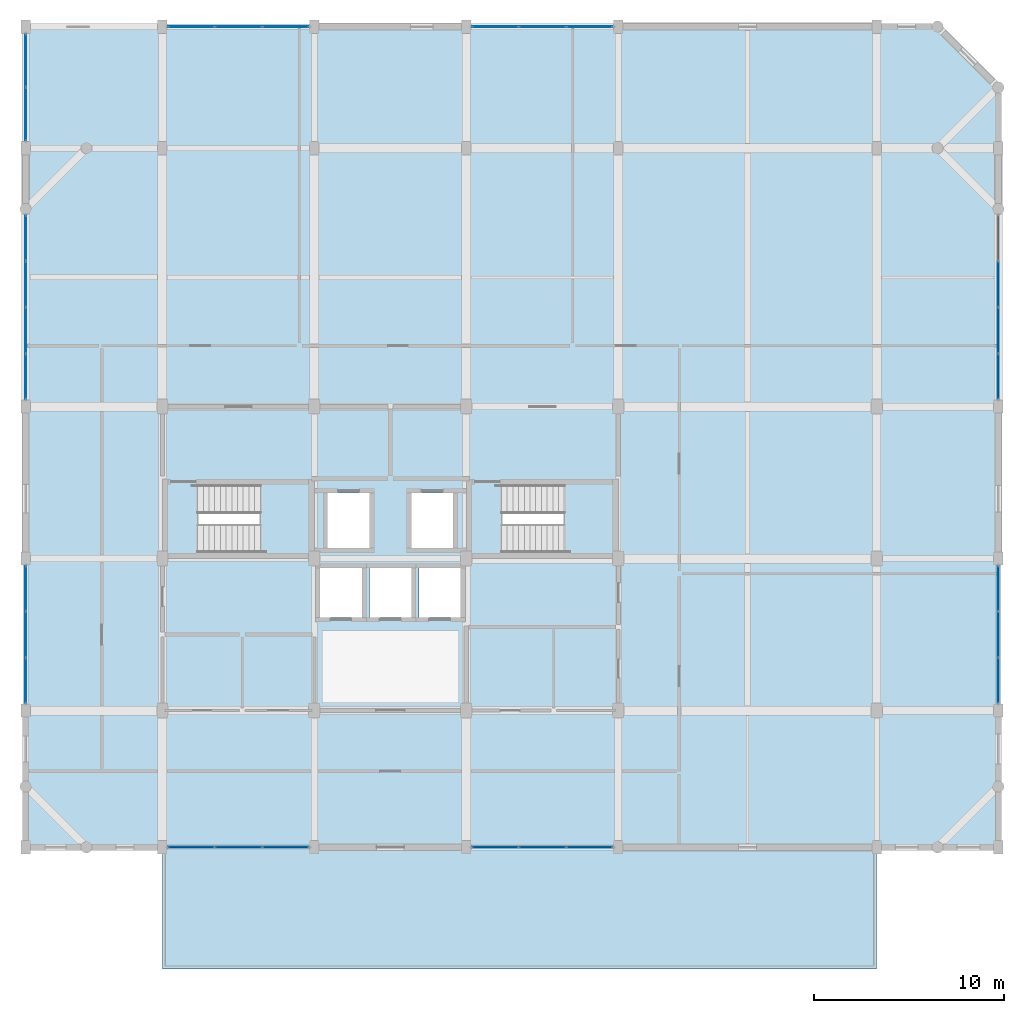
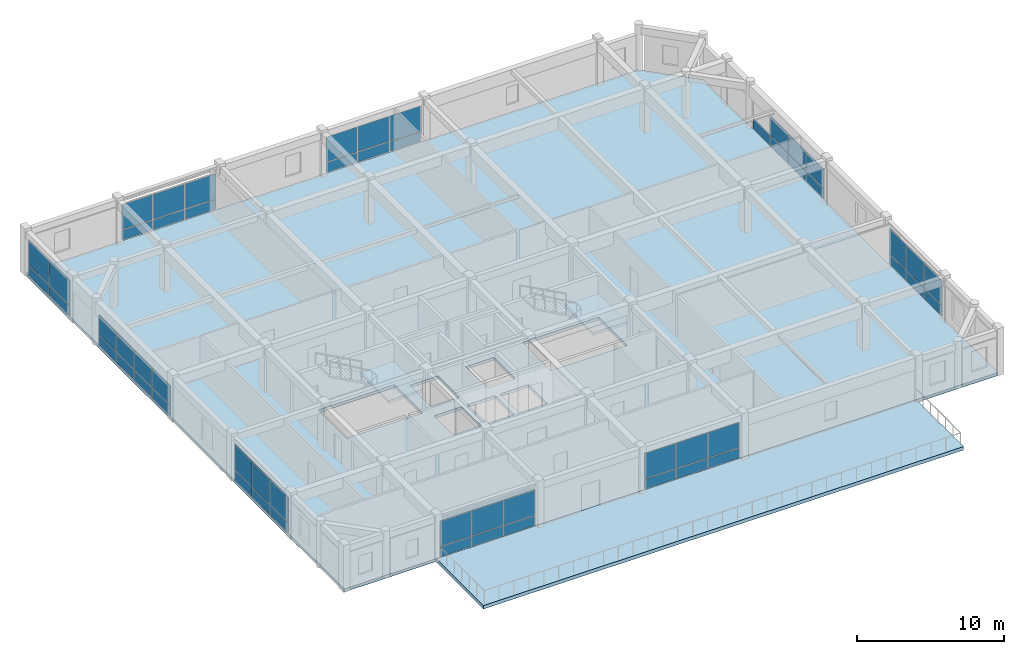
# One storey, part 8 of 13: 55 plates, 4 slabs, 11 elements without a shape of their own.
"""IFC4 building model written with IfcOpenShell, lengths in metres."""

from ifc_helpers import new_model, si_unit, direction, frame, origin, origin_2d, place, context, subcontext, project, spatial, polyline, rectangle, outline, extrude, material, layer, layer_set, type_object, element, aggregate, save


model = new_model("IFC4")

# Units and contexts
model_context = context("Model", 3, precision=1e-05, world=origin(), true_north=direction((0.0, 1.0)))
body_context = subcontext(model_context, "Body", "Model", "MODEL_VIEW")
ifc_project = project(units=[si_unit("LENGTHUNIT", "METRE"), si_unit("AREAUNIT", "SQUARE_METRE"), si_unit("VOLUMEUNIT", "CUBIC_METRE"), si_unit("PLANEANGLEUNIT", "RADIAN"), si_unit("MASSUNIT", "GRAM", prefix="KILO")], contexts=[model_context])

# Site, building, storey
site_placement = place(None, origin())
site = spatial("IfcSite", under=ifc_project, at=site_placement, CompositionType="ELEMENT")
building_placement = place(site_placement, origin())
building = spatial("IfcBuilding", under=site, at=building_placement, Name="Vellmiral Cinema and Media Centre", CompositionType="ELEMENT")
storey_placement = place(building_placement, frame((0.0, 0.0, 50.89990234375)))
storey = spatial("IfcBuildingStorey", under=building, at=storey_placement, Name="L12", CompositionType="ELEMENT", Elevation=50.89990234375)

# Curtain wall, plates
ifc_material_1 = material(Name="Thermally Broken Aluminium and Triple Glazing", Category="aluminium")
curtain_wall_type_1 = type_object("IfcCurtainWallType", Name="CW-TOWER-MID-W", PredefinedType="USERDEFINED", material=ifc_material_1)
curtain_wall_1_placement = place(storey_placement, origin())
curtain_wall_1 = element("IfcCurtainWall", 1, at=curtain_wall_1_placement, inside=storey, type_object=curtain_wall_type_1, Name="Curtain Wall L12-B019", ObjectType="UNITISED CURTAIN WALL", PredefinedType="USERDEFINED")
ifc_material_2 = material(Name="Laminated Studio Acoustic Glazing", Category="glass")
ifc_layer_1 = layer(ifc_material_2, 0.0439453125, Name="Laminated Studio Acoustic Glazing")
ifc_layer_set_1 = layer_set([ifc_layer_1], Name="Laminated Studio Acoustic Glazing")
plate_type_1 = type_object("IfcPlateType", Name="CWP-ACOUST-44", PredefinedType="CURTAIN_PANEL", material=ifc_layer_set_1)
plate_1_placement = place(storey_placement, frame((146.483642578125, 115.199951171875, 0.9326171875), z_axis=(0.0, 0.0, 1.0), x_axis=(-1.0, 0.0, 0.0)))
plate_1 = element("IfcPlate", 2, at=plate_1_placement, type_object=plate_type_1, Name="CW-08 panel 1.2", PredefinedType="CURTAIN_PANEL", context=body_context, shape_type="SweptSolid", body=[
    extrude(rectangle(XDim=2.402587890625, YDim=0.0439453125, at=origin_2d()), origin(), (0.0, 0.0, 1.0), 2.0625),
])
plate_2_placement = place(storey_placement, frame((144.0, 115.199951171875, 0.9326171875), z_axis=(0.0, 0.0, 1.0), x_axis=(-1.0, 0.0, 0.0)))
plate_2 = element("IfcPlate", 3, at=plate_2_placement, type_object=plate_type_1, Name="CW-08 panel 2.2", PredefinedType="CURTAIN_PANEL", context=body_context, shape_type="SweptSolid", body=[
    extrude(rectangle(XDim=2.43505859375, YDim=0.0439453125, at=origin_2d()), origin(), (0.0, 0.0, 1.0), 2.0625),
])
plate_3_placement = place(storey_placement, frame((141.516357421875, 115.199951171875, 0.9326171875), z_axis=(0.0, 0.0, 1.0), x_axis=(-1.0, 0.0, 0.0)))
plate_3 = element("IfcPlate", 4, at=plate_3_placement, type_object=plate_type_1, Name="CW-08 panel 3.2", PredefinedType="CURTAIN_PANEL", context=body_context, shape_type="SweptSolid", body=[
    extrude(rectangle(XDim=2.402587890625, YDim=0.0439453125, at=origin_2d()), origin(), (0.0, 0.0, 1.0), 2.0625),
])

curtain_wall_2_placement = place(storey_placement, origin())
curtain_wall_2 = element("IfcCurtainWall", 5, at=curtain_wall_2_placement, inside=storey, type_object=curtain_wall_type_1, Name="Curtain Wall L12-B021", ObjectType="UNITISED CURTAIN WALL", PredefinedType="USERDEFINED")
plate_4_placement = place(storey_placement, frame((130.483642578125, 115.199951171875, 0.9326171875), z_axis=(0.0, 0.0, 1.0), x_axis=(-1.0, 0.0, 0.0)))
plate_4 = element("IfcPlate", 6, at=plate_4_placement, type_object=plate_type_1, Name="CW-08 panel 1.2", PredefinedType="CURTAIN_PANEL", context=body_context, shape_type="SweptSolid", body=[
    extrude(rectangle(XDim=2.402587890625, YDim=0.0439453125, at=origin_2d()), origin(), (0.0, 0.0, 1.0), 2.0625),
])
plate_5_placement = place(storey_placement, frame((128.0, 115.199951171875, 0.9326171875), z_axis=(0.0, 0.0, 1.0), x_axis=(-1.0, 0.0, 0.0)))
plate_5 = element("IfcPlate", 7, at=plate_5_placement, type_object=plate_type_1, Name="CW-08 panel 2.2", PredefinedType="CURTAIN_PANEL", context=body_context, shape_type="SweptSolid", body=[
    extrude(rectangle(XDim=2.43505859375, YDim=0.0439453125, at=origin_2d()), origin(), (0.0, 0.0, 1.0), 2.0625),
])
plate_6_placement = place(storey_placement, frame((125.516357421875, 115.199951171875, 0.9326171875), z_axis=(0.0, 0.0, 1.0), x_axis=(-1.0, 0.0, 0.0)))
plate_6 = element("IfcPlate", 8, at=plate_6_placement, type_object=plate_type_1, Name="CW-08 panel 3.2", PredefinedType="CURTAIN_PANEL", context=body_context, shape_type="SweptSolid", body=[
    extrude(rectangle(XDim=2.402587890625, YDim=0.0439453125, at=origin_2d()), origin(), (0.0, 0.0, 1.0), 2.0625),
])

curtain_wall_3_placement = place(storey_placement, origin())
curtain_wall_3 = element("IfcCurtainWall", 9, at=curtain_wall_3_placement, inside=storey, type_object=curtain_wall_type_1, Name="Curtain Wall L12-B023", ObjectType="UNITISED CURTAIN WALL", PredefinedType="USERDEFINED")
plate_7_placement = place(storey_placement, frame((116.800048828125, 113.40869140625, 0.9326171875), z_axis=(0.0, 0.0, 1.0), x_axis=(0.0, -1.0, 0.0)))
plate_7 = element("IfcPlate", 10, at=plate_7_placement, type_object=plate_type_1, Name="CW-08 panel 1.2", PredefinedType="CURTAIN_PANEL", context=body_context, shape_type="SweptSolid", body=[
    extrude(rectangle(XDim=2.75244140625, YDim=0.0439453125, at=origin_2d()), origin(), (0.0, 0.0, 1.0), 2.0625),
])
plate_8_placement = place(storey_placement, frame((116.800048828125, 110.59130859375, 0.9326171875), z_axis=(0.0, 0.0, 1.0), x_axis=(0.0, -1.0, 0.0)))
plate_8 = element("IfcPlate", 11, at=plate_8_placement, type_object=plate_type_1, Name="CW-08 panel 2.2", PredefinedType="CURTAIN_PANEL", context=body_context, shape_type="SweptSolid", body=[
    extrude(rectangle(XDim=2.75244140625, YDim=0.0439453125, at=origin_2d()), origin(), (0.0, 0.0, 1.0), 2.0625),
])

curtain_wall_4_placement = place(storey_placement, origin())
curtain_wall_4 = element("IfcCurtainWall", 12, at=curtain_wall_4_placement, inside=storey, type_object=curtain_wall_type_1, Name="Curtain Wall L12-B025", ObjectType="UNITISED CURTAIN WALL", PredefinedType="USERDEFINED")
plate_9_placement = place(storey_placement, frame((116.800048828125, 104.06494140625, 0.9326171875), z_axis=(0.0, 0.0, 1.0), x_axis=(0.0, -1.0, 0.0)))
plate_9 = element("IfcPlate", 13, at=plate_9_placement, type_object=plate_type_1, Name="CW-08 panel 1.2", PredefinedType="CURTAIN_PANEL", context=body_context, shape_type="SweptSolid", body=[
    extrude(rectangle(XDim=2.340087890625, YDim=0.0439453125, at=origin_2d()), origin(), (0.0, 0.0, 1.0), 1.597412109375),
])
plate_10_placement = place(storey_placement, frame((116.800048828125, 101.643798828125, 0.9326171875), z_axis=(0.0, 0.0, 1.0), x_axis=(0.0, -1.0, 0.0)))
plate_10 = element("IfcPlate", 14, at=plate_10_placement, type_object=plate_type_1, Name="CW-08 panel 2.2", PredefinedType="CURTAIN_PANEL", context=body_context, shape_type="SweptSolid", body=[
    extrude(rectangle(XDim=2.37255859375, YDim=0.0439453125, at=origin_2d()), origin(), (0.0, 0.0, 1.0), 1.597412109375),
])
plate_11_placement = place(storey_placement, frame((116.800048828125, 99.206298828125, 0.9326171875), z_axis=(0.0, 0.0, 1.0), x_axis=(0.0, -1.0, 0.0)))
plate_11 = element("IfcPlate", 15, at=plate_11_placement, type_object=plate_type_1, Name="CW-08 panel 3.2", PredefinedType="CURTAIN_PANEL", context=body_context, shape_type="SweptSolid", body=[
    extrude(rectangle(XDim=2.37255859375, YDim=0.0439453125, at=origin_2d()), origin(), (0.0, 0.0, 1.0), 1.597412109375),
])
plate_12_placement = place(storey_placement, frame((116.800048828125, 96.784912109375, 0.9326171875), z_axis=(0.0, 0.0, 1.0), x_axis=(0.0, -1.0, 0.0)))
plate_12 = element("IfcPlate", 16, at=plate_12_placement, type_object=plate_type_1, Name="CW-08 panel 4.2", PredefinedType="CURTAIN_PANEL", context=body_context, shape_type="SweptSolid", body=[
    extrude(rectangle(XDim=2.340087890625, YDim=0.0439453125, at=origin_2d()), origin(), (0.0, 0.0, 1.0), 1.597412109375),
])

curtain_wall_5_placement = place(storey_placement, origin())
curtain_wall_5 = element("IfcCurtainWall", 17, at=curtain_wall_5_placement, inside=storey, type_object=curtain_wall_type_1, Name="Curtain Wall L12-B027", ObjectType="UNITISED CURTAIN WALL", PredefinedType="USERDEFINED")
plate_13_placement = place(storey_placement, frame((116.800048828125, 85.6171875, 0.9326171875), z_axis=(0.0, 0.0, 1.0), x_axis=(0.0, -1.0, 0.0)))
plate_13 = element("IfcPlate", 18, at=plate_13_placement, type_object=plate_type_1, Name="CW-08 panel 1.2", PredefinedType="CURTAIN_PANEL", context=body_context, shape_type="SweptSolid", body=[
    extrude(rectangle(XDim=2.3359375, YDim=0.0439453125, at=origin_2d()), origin(), (0.0, 0.0, 1.0), 2.0625),
])
plate_14_placement = place(storey_placement, frame((116.800048828125, 83.199951171875, 0.9326171875), z_axis=(0.0, 0.0, 1.0), x_axis=(0.0, -1.0, 0.0)))
plate_14 = element("IfcPlate", 19, at=plate_14_placement, type_object=plate_type_1, Name="CW-08 panel 2.2", PredefinedType="CURTAIN_PANEL", context=body_context, shape_type="SweptSolid", body=[
    extrude(rectangle(XDim=2.368408203125, YDim=0.0439453125, at=origin_2d()), origin(), (0.0, 0.0, 1.0), 2.0625),
])
plate_15_placement = place(storey_placement, frame((116.800048828125, 80.782958984375, 0.9326171875), z_axis=(0.0, 0.0, 1.0), x_axis=(0.0, -1.0, 0.0)))
plate_15 = element("IfcPlate", 20, at=plate_15_placement, type_object=plate_type_1, Name="CW-08 panel 3.2", PredefinedType="CURTAIN_PANEL", context=body_context, shape_type="SweptSolid", body=[
    extrude(rectangle(XDim=2.3359375, YDim=0.0439453125, at=origin_2d()), origin(), (0.0, 0.0, 1.0), 2.0625),
])

ifc_material_3 = material(Name="Thermally Broken Aluminium and Triple Glazing", Category="aluminium")
curtain_wall_type_2 = type_object("IfcCurtainWallType", Name="CW-TOWER-MID-E", PredefinedType="USERDEFINED", material=ifc_material_3)
curtain_wall_6_placement = place(storey_placement, origin())
curtain_wall_6 = element("IfcCurtainWall", 21, at=curtain_wall_6_placement, inside=storey, type_object=curtain_wall_type_2, Name="Curtain Wall L12-B003", ObjectType="UNITISED CURTAIN WALL", PredefinedType="USERDEFINED")
ifc_material_4 = material(Name="Honed Vosges Sandstone Spandrel Panel", Category="masonry")
ifc_layer_2 = layer(ifc_material_4, 0.06005859375, Name="Honed Vosges Sandstone Spandrel Panel")
ifc_layer_set_2 = layer_set([ifc_layer_2], Name="Honed Vosges Sandstone Spandrel Panel")
plate_type_2 = type_object("IfcPlateType", Name="CWP-SAND-60", PredefinedType="CURTAIN_PANEL", material=ifc_layer_set_2)
plate_16_placement = place(storey_placement, frame((125.516357421875, 72.0, 0.06494140625), z_axis=(0.0, 0.0, 1.0), x_axis=(1.0, 0.0, 0.0)))
plate_16 = element("IfcPlate", 22, at=plate_16_placement, type_object=plate_type_2, Name="CW-07 panel 1.1", PredefinedType="CURTAIN_PANEL", context=body_context, shape_type="SweptSolid", body=[
    extrude(rectangle(XDim=2.402587890625, YDim=0.06005859375, at=origin_2d()), origin(), (0.0, 0.0, 1.0), 0.802490234375),
])
plate_17_placement = place(storey_placement, frame((128.0, 72.0, 0.06494140625), z_axis=(0.0, 0.0, 1.0), x_axis=(1.0, 0.0, 0.0)))
plate_17 = element("IfcPlate", 23, at=plate_17_placement, type_object=plate_type_2, Name="CW-07 panel 2.1", PredefinedType="CURTAIN_PANEL", context=body_context, shape_type="SweptSolid", body=[
    extrude(rectangle(XDim=2.43505859375, YDim=0.06005859375, at=origin_2d()), origin(), (0.0, 0.0, 1.0), 0.802490234375),
])
plate_18_placement = place(storey_placement, frame((130.483642578125, 72.0, 0.06494140625), z_axis=(0.0, 0.0, 1.0), x_axis=(1.0, 0.0, 0.0)))
plate_18 = element("IfcPlate", 24, at=plate_18_placement, type_object=plate_type_2, Name="CW-07 panel 3.1", PredefinedType="CURTAIN_PANEL", context=body_context, shape_type="SweptSolid", body=[
    extrude(rectangle(XDim=2.402587890625, YDim=0.06005859375, at=origin_2d()), origin(), (0.0, 0.0, 1.0), 0.802490234375),
])

curtain_wall_7_placement = place(storey_placement, origin())
curtain_wall_7 = element("IfcCurtainWall", 25, at=curtain_wall_7_placement, inside=storey, type_object=curtain_wall_type_2, Name="Curtain Wall L12-B005", ObjectType="UNITISED CURTAIN WALL", PredefinedType="USERDEFINED")
plate_19_placement = place(storey_placement, frame((141.516357421875, 72.0, 0.06494140625), z_axis=(0.0, 0.0, 1.0), x_axis=(1.0, 0.0, 0.0)))
plate_19 = element("IfcPlate", 26, at=plate_19_placement, type_object=plate_type_2, Name="CW-07 panel 1.1", PredefinedType="CURTAIN_PANEL", context=body_context, shape_type="SweptSolid", body=[
    extrude(rectangle(XDim=2.402587890625, YDim=0.06005859375, at=origin_2d()), origin(), (0.0, 0.0, 1.0), 0.802490234375),
])
plate_20_placement = place(storey_placement, frame((144.0, 72.0, 0.06494140625), z_axis=(0.0, 0.0, 1.0), x_axis=(1.0, 0.0, 0.0)))
plate_20 = element("IfcPlate", 27, at=plate_20_placement, type_object=plate_type_2, Name="CW-07 panel 2.1", PredefinedType="CURTAIN_PANEL", context=body_context, shape_type="SweptSolid", body=[
    extrude(rectangle(XDim=2.43505859375, YDim=0.06005859375, at=origin_2d()), origin(), (0.0, 0.0, 1.0), 0.802490234375),
])
plate_21_placement = place(storey_placement, frame((146.483642578125, 72.0, 0.06494140625), z_axis=(0.0, 0.0, 1.0), x_axis=(1.0, 0.0, 0.0)))
plate_21 = element("IfcPlate", 28, at=plate_21_placement, type_object=plate_type_2, Name="CW-07 panel 3.1", PredefinedType="CURTAIN_PANEL", context=body_context, shape_type="SweptSolid", body=[
    extrude(rectangle(XDim=2.402587890625, YDim=0.06005859375, at=origin_2d()), origin(), (0.0, 0.0, 1.0), 0.802490234375),
])

curtain_wall_8_placement = place(storey_placement, origin())
curtain_wall_8 = element("IfcCurtainWall", 29, at=curtain_wall_8_placement, inside=storey, type_object=curtain_wall_type_2, Name="Curtain Wall L12-B011", ObjectType="UNITISED CURTAIN WALL", PredefinedType="USERDEFINED")
plate_22_placement = place(storey_placement, frame((168.0, 80.782958984375, 0.06494140625), z_axis=(0.0, 0.0, 1.0), x_axis=(0.0, 1.0, 0.0)))
plate_22 = element("IfcPlate", 30, at=plate_22_placement, type_object=plate_type_2, Name="CW-07 panel 1.1", PredefinedType="CURTAIN_PANEL", context=body_context, shape_type="SweptSolid", body=[
    extrude(rectangle(XDim=2.3359375, YDim=0.06005859375, at=origin_2d()), origin(), (0.0, 0.0, 1.0), 0.802490234375),
])
plate_23_placement = place(storey_placement, frame((168.0, 83.199951171875, 0.06494140625), z_axis=(0.0, 0.0, 1.0), x_axis=(0.0, 1.0, 0.0)))
plate_23 = element("IfcPlate", 31, at=plate_23_placement, type_object=plate_type_2, Name="CW-07 panel 2.1", PredefinedType="CURTAIN_PANEL", context=body_context, shape_type="SweptSolid", body=[
    extrude(rectangle(XDim=2.368408203125, YDim=0.06005859375, at=origin_2d()), origin(), (0.0, 0.0, 1.0), 0.802490234375),
])
plate_24_placement = place(storey_placement, frame((168.0, 85.6171875, 0.06494140625), z_axis=(0.0, 0.0, 1.0), x_axis=(0.0, 1.0, 0.0)))
plate_24 = element("IfcPlate", 32, at=plate_24_placement, type_object=plate_type_2, Name="CW-07 panel 3.1", PredefinedType="CURTAIN_PANEL", context=body_context, shape_type="SweptSolid", body=[
    extrude(rectangle(XDim=2.3359375, YDim=0.06005859375, at=origin_2d()), origin(), (0.0, 0.0, 1.0), 0.802490234375),
])

curtain_wall_9_placement = place(storey_placement, origin())
curtain_wall_9 = element("IfcCurtainWall", 33, at=curtain_wall_9_placement, inside=storey, type_object=curtain_wall_type_2, Name="Curtain Wall L12-B013", ObjectType="UNITISED CURTAIN WALL", PredefinedType="USERDEFINED")
plate_25_placement = place(storey_placement, frame((168.0, 96.784912109375, 0.06494140625), z_axis=(0.0, 0.0, 1.0), x_axis=(0.0, 1.0, 0.0)))
plate_25 = element("IfcPlate", 34, at=plate_25_placement, type_object=plate_type_2, Name="CW-07 panel 1.1", PredefinedType="CURTAIN_PANEL", context=body_context, shape_type="SweptSolid", body=[
    extrude(rectangle(XDim=2.340087890625, YDim=0.06005859375, at=origin_2d()), origin(), (0.0, 0.0, 1.0), 0.802490234375),
])
plate_26_placement = place(storey_placement, frame((168.0, 99.206298828125, 0.06494140625), z_axis=(0.0, 0.0, 1.0), x_axis=(0.0, 1.0, 0.0)))
plate_26 = element("IfcPlate", 35, at=plate_26_placement, type_object=plate_type_2, Name="CW-07 panel 2.1", PredefinedType="CURTAIN_PANEL", context=body_context, shape_type="SweptSolid", body=[
    extrude(rectangle(XDim=2.37255859375, YDim=0.06005859375, at=origin_2d()), origin(), (0.0, 0.0, 1.0), 0.802490234375),
])
plate_27_placement = place(storey_placement, frame((168.0, 101.643798828125, 0.06494140625), z_axis=(0.0, 0.0, 1.0), x_axis=(0.0, 1.0, 0.0)))
plate_27 = element("IfcPlate", 36, at=plate_27_placement, type_object=plate_type_2, Name="CW-07 panel 3.1", PredefinedType="CURTAIN_PANEL", context=body_context, shape_type="SweptSolid", body=[
    extrude(rectangle(XDim=2.37255859375, YDim=0.06005859375, at=origin_2d()), origin(), (0.0, 0.0, 1.0), 0.802490234375),
])
plate_28_placement = place(storey_placement, frame((168.0, 104.06494140625, 0.06494140625), z_axis=(0.0, 0.0, 1.0), x_axis=(0.0, 1.0, 0.0)))
plate_28 = element("IfcPlate", 37, at=plate_28_placement, type_object=plate_type_2, Name="CW-07 panel 4.1", PredefinedType="CURTAIN_PANEL", context=body_context, shape_type="SweptSolid", body=[
    extrude(rectangle(XDim=2.340087890625, YDim=0.06005859375, at=origin_2d()), origin(), (0.0, 0.0, 1.0), 0.802490234375),
])

# Plate
ifc_material_5 = material(Name="Solar-Control Acoustic Triple Glazing", Category="glass")
ifc_layer_3 = layer(ifc_material_5, 0.0419921875, Name="Solar-Control Acoustic Triple Glazing")
ifc_layer_set_3 = layer_set([ifc_layer_3], Name="Solar-Control Acoustic Triple Glazing")
plate_type_3 = type_object("IfcPlateType", Name="CWP-SOLAR-42", PredefinedType="CURTAIN_PANEL", material=ifc_layer_set_3)
plate_29_placement = place(storey_placement, frame((125.516357421875, 72.0, 0.9326171875), z_axis=(0.0, 0.0, 1.0), x_axis=(1.0, 0.0, 0.0)))
plate_29 = element("IfcPlate", 38, at=plate_29_placement, type_object=plate_type_3, Name="CW-07 panel 1.2", PredefinedType="CURTAIN_PANEL", context=body_context, shape_type="SweptSolid", body=[
    extrude(rectangle(XDim=2.402587890625, YDim=0.0419921875, at=origin_2d()), origin(), (0.0, 0.0, 1.0), 2.0625),
])

plate_30_placement = place(storey_placement, frame((128.0, 72.0, 0.9326171875), z_axis=(0.0, 0.0, 1.0), x_axis=(1.0, 0.0, 0.0)))
plate_30 = element("IfcPlate", 39, at=plate_30_placement, type_object=plate_type_3, Name="CW-07 panel 2.2", PredefinedType="CURTAIN_PANEL", context=body_context, shape_type="SweptSolid", body=[
    extrude(rectangle(XDim=2.43505859375, YDim=0.0419921875, at=origin_2d()), origin(), (0.0, 0.0, 1.0), 2.0625),
])

plate_31_placement = place(storey_placement, frame((130.483642578125, 72.0, 0.9326171875), z_axis=(0.0, 0.0, 1.0), x_axis=(1.0, 0.0, 0.0)))
plate_31 = element("IfcPlate", 40, at=plate_31_placement, type_object=plate_type_3, Name="CW-07 panel 3.2", PredefinedType="CURTAIN_PANEL", context=body_context, shape_type="SweptSolid", body=[
    extrude(rectangle(XDim=2.402587890625, YDim=0.0419921875, at=origin_2d()), origin(), (0.0, 0.0, 1.0), 2.0625),
])

aggregate(curtain_wall_6, [plate_16, plate_29, plate_17, plate_30, plate_18, plate_31])

plate_32_placement = place(storey_placement, frame((141.516357421875, 72.0, 0.9326171875), z_axis=(0.0, 0.0, 1.0), x_axis=(1.0, 0.0, 0.0)))
plate_32 = element("IfcPlate", 41, at=plate_32_placement, type_object=plate_type_3, Name="CW-07 panel 1.2", PredefinedType="CURTAIN_PANEL", context=body_context, shape_type="SweptSolid", body=[
    extrude(rectangle(XDim=2.402587890625, YDim=0.0419921875, at=origin_2d()), origin(), (0.0, 0.0, 1.0), 2.0625),
])

plate_33_placement = place(storey_placement, frame((144.0, 72.0, 0.9326171875), z_axis=(0.0, 0.0, 1.0), x_axis=(1.0, 0.0, 0.0)))
plate_33 = element("IfcPlate", 42, at=plate_33_placement, type_object=plate_type_3, Name="CW-07 panel 2.2", PredefinedType="CURTAIN_PANEL", context=body_context, shape_type="SweptSolid", body=[
    extrude(rectangle(XDim=2.43505859375, YDim=0.0419921875, at=origin_2d()), origin(), (0.0, 0.0, 1.0), 2.0625),
])

plate_34_placement = place(storey_placement, frame((146.483642578125, 72.0, 0.9326171875), z_axis=(0.0, 0.0, 1.0), x_axis=(1.0, 0.0, 0.0)))
plate_34 = element("IfcPlate", 43, at=plate_34_placement, type_object=plate_type_3, Name="CW-07 panel 3.2", PredefinedType="CURTAIN_PANEL", context=body_context, shape_type="SweptSolid", body=[
    extrude(rectangle(XDim=2.402587890625, YDim=0.0419921875, at=origin_2d()), origin(), (0.0, 0.0, 1.0), 2.0625),
])

aggregate(curtain_wall_7, [plate_19, plate_32, plate_20, plate_33, plate_21, plate_34])

plate_35_placement = place(storey_placement, frame((168.0, 80.782958984375, 0.9326171875), z_axis=(0.0, 0.0, 1.0), x_axis=(0.0, 1.0, 0.0)))
plate_35 = element("IfcPlate", 44, at=plate_35_placement, type_object=plate_type_3, Name="CW-07 panel 1.2", PredefinedType="CURTAIN_PANEL", context=body_context, shape_type="SweptSolid", body=[
    extrude(rectangle(XDim=2.3359375, YDim=0.0419921875, at=origin_2d()), origin(), (0.0, 0.0, 1.0), 2.0625),
])

plate_36_placement = place(storey_placement, frame((168.0, 83.199951171875, 0.9326171875), z_axis=(0.0, 0.0, 1.0), x_axis=(0.0, 1.0, 0.0)))
plate_36 = element("IfcPlate", 45, at=plate_36_placement, type_object=plate_type_3, Name="CW-07 panel 2.2", PredefinedType="CURTAIN_PANEL", context=body_context, shape_type="SweptSolid", body=[
    extrude(rectangle(XDim=2.368408203125, YDim=0.0419921875, at=origin_2d()), origin(), (0.0, 0.0, 1.0), 2.0625),
])

plate_37_placement = place(storey_placement, frame((168.0, 85.6171875, 0.9326171875), z_axis=(0.0, 0.0, 1.0), x_axis=(0.0, 1.0, 0.0)))
plate_37 = element("IfcPlate", 46, at=plate_37_placement, type_object=plate_type_3, Name="CW-07 panel 3.2", PredefinedType="CURTAIN_PANEL", context=body_context, shape_type="SweptSolid", body=[
    extrude(rectangle(XDim=2.3359375, YDim=0.0419921875, at=origin_2d()), origin(), (0.0, 0.0, 1.0), 2.0625),
])

aggregate(curtain_wall_8, [plate_22, plate_35, plate_23, plate_36, plate_24, plate_37])

plate_38_placement = place(storey_placement, frame((168.0, 96.784912109375, 0.9326171875), z_axis=(0.0, 0.0, 1.0), x_axis=(0.0, 1.0, 0.0)))
plate_38 = element("IfcPlate", 47, at=plate_38_placement, type_object=plate_type_3, Name="CW-07 panel 1.2", PredefinedType="CURTAIN_PANEL", context=body_context, shape_type="SweptSolid", body=[
    extrude(rectangle(XDim=2.340087890625, YDim=0.0419921875, at=origin_2d()), origin(), (0.0, 0.0, 1.0), 1.597412109375),
])

plate_39_placement = place(storey_placement, frame((168.0, 99.206298828125, 0.9326171875), z_axis=(0.0, 0.0, 1.0), x_axis=(0.0, 1.0, 0.0)))
plate_39 = element("IfcPlate", 48, at=plate_39_placement, type_object=plate_type_3, Name="CW-07 panel 2.2", PredefinedType="CURTAIN_PANEL", context=body_context, shape_type="SweptSolid", body=[
    extrude(rectangle(XDim=2.37255859375, YDim=0.0419921875, at=origin_2d()), origin(), (0.0, 0.0, 1.0), 1.597412109375),
])

plate_40_placement = place(storey_placement, frame((168.0, 101.643798828125, 0.9326171875), z_axis=(0.0, 0.0, 1.0), x_axis=(0.0, 1.0, 0.0)))
plate_40 = element("IfcPlate", 49, at=plate_40_placement, type_object=plate_type_3, Name="CW-07 panel 3.2", PredefinedType="CURTAIN_PANEL", context=body_context, shape_type="SweptSolid", body=[
    extrude(rectangle(XDim=2.37255859375, YDim=0.0419921875, at=origin_2d()), origin(), (0.0, 0.0, 1.0), 1.597412109375),
])

aggregate(curtain_wall_9, [plate_25, plate_38, plate_26, plate_39, plate_27, plate_40, plate_28])

ifc_material_6 = material(Name="Polychrome Trencadis Ceramic Spandrel Panel", Category="ceramic")
ifc_layer_4 = layer(ifc_material_6, 0.052001953125, Name="Polychrome Trencadis Ceramic Spandrel Panel")
ifc_layer_set_4 = layer_set([ifc_layer_4], Name="Polychrome Trencadis Ceramic Spandrel Panel")
plate_type_4 = type_object("IfcPlateType", Name="CWP-TRENC-52", PredefinedType="CURTAIN_PANEL", material=ifc_layer_set_4)
plate_41_placement = place(storey_placement, frame((146.483642578125, 115.199951171875, 0.06494140625), z_axis=(0.0, 0.0, 1.0), x_axis=(-1.0, 0.0, 0.0)))
plate_41 = element("IfcPlate", 50, at=plate_41_placement, type_object=plate_type_4, Name="CW-08 panel 1.1", PredefinedType="CURTAIN_PANEL", context=body_context, shape_type="SweptSolid", body=[
    extrude(rectangle(XDim=2.402587890625, YDim=0.052001953125, at=origin_2d()), origin(), (0.0, 0.0, 1.0), 0.802490234375),
])

plate_42_placement = place(storey_placement, frame((144.0, 115.199951171875, 0.06494140625), z_axis=(0.0, 0.0, 1.0), x_axis=(-1.0, 0.0, 0.0)))
plate_42 = element("IfcPlate", 51, at=plate_42_placement, type_object=plate_type_4, Name="CW-08 panel 2.1", PredefinedType="CURTAIN_PANEL", context=body_context, shape_type="SweptSolid", body=[
    extrude(rectangle(XDim=2.43505859375, YDim=0.052001953125, at=origin_2d()), origin(), (0.0, 0.0, 1.0), 0.802490234375),
])

plate_43_placement = place(storey_placement, frame((141.516357421875, 115.199951171875, 0.06494140625), z_axis=(0.0, 0.0, 1.0), x_axis=(-1.0, 0.0, 0.0)))
plate_43 = element("IfcPlate", 52, at=plate_43_placement, type_object=plate_type_4, Name="CW-08 panel 3.1", PredefinedType="CURTAIN_PANEL", context=body_context, shape_type="SweptSolid", body=[
    extrude(rectangle(XDim=2.402587890625, YDim=0.052001953125, at=origin_2d()), origin(), (0.0, 0.0, 1.0), 0.802490234375),
])

aggregate(curtain_wall_1, [plate_41, plate_1, plate_42, plate_2, plate_43, plate_3])

plate_44_placement = place(storey_placement, frame((130.483642578125, 115.199951171875, 0.06494140625), z_axis=(0.0, 0.0, 1.0), x_axis=(-1.0, 0.0, 0.0)))
plate_44 = element("IfcPlate", 53, at=plate_44_placement, type_object=plate_type_4, Name="CW-08 panel 1.1", PredefinedType="CURTAIN_PANEL", context=body_context, shape_type="SweptSolid", body=[
    extrude(rectangle(XDim=2.402587890625, YDim=0.052001953125, at=origin_2d()), origin(), (0.0, 0.0, 1.0), 0.802490234375),
])

plate_45_placement = place(storey_placement, frame((128.0, 115.199951171875, 0.06494140625), z_axis=(0.0, 0.0, 1.0), x_axis=(-1.0, 0.0, 0.0)))
plate_45 = element("IfcPlate", 54, at=plate_45_placement, type_object=plate_type_4, Name="CW-08 panel 2.1", PredefinedType="CURTAIN_PANEL", context=body_context, shape_type="SweptSolid", body=[
    extrude(rectangle(XDim=2.43505859375, YDim=0.052001953125, at=origin_2d()), origin(), (0.0, 0.0, 1.0), 0.802490234375),
])

plate_46_placement = place(storey_placement, frame((125.516357421875, 115.199951171875, 0.06494140625), z_axis=(0.0, 0.0, 1.0), x_axis=(-1.0, 0.0, 0.0)))
plate_46 = element("IfcPlate", 55, at=plate_46_placement, type_object=plate_type_4, Name="CW-08 panel 3.1", PredefinedType="CURTAIN_PANEL", context=body_context, shape_type="SweptSolid", body=[
    extrude(rectangle(XDim=2.402587890625, YDim=0.052001953125, at=origin_2d()), origin(), (0.0, 0.0, 1.0), 0.802490234375),
])

aggregate(curtain_wall_2, [plate_44, plate_4, plate_45, plate_5, plate_46, plate_6])

plate_47_placement = place(storey_placement, frame((116.800048828125, 113.40869140625, 0.06494140625), z_axis=(0.0, 0.0, 1.0), x_axis=(0.0, -1.0, 0.0)))
plate_47 = element("IfcPlate", 56, at=plate_47_placement, type_object=plate_type_4, Name="CW-08 panel 1.1", PredefinedType="CURTAIN_PANEL", context=body_context, shape_type="SweptSolid", body=[
    extrude(rectangle(XDim=2.75244140625, YDim=0.052001953125, at=origin_2d()), origin(), (0.0, 0.0, 1.0), 0.802490234375),
])

plate_48_placement = place(storey_placement, frame((116.800048828125, 110.59130859375, 0.06494140625), z_axis=(0.0, 0.0, 1.0), x_axis=(0.0, -1.0, 0.0)))
plate_48 = element("IfcPlate", 57, at=plate_48_placement, type_object=plate_type_4, Name="CW-08 panel 2.1", PredefinedType="CURTAIN_PANEL", context=body_context, shape_type="SweptSolid", body=[
    extrude(rectangle(XDim=2.75244140625, YDim=0.052001953125, at=origin_2d()), origin(), (0.0, 0.0, 1.0), 0.802490234375),
])

aggregate(curtain_wall_3, [plate_47, plate_7, plate_48, plate_8])

plate_49_placement = place(storey_placement, frame((116.800048828125, 104.06494140625, 0.06494140625), z_axis=(0.0, 0.0, 1.0), x_axis=(0.0, -1.0, 0.0)))
plate_49 = element("IfcPlate", 58, at=plate_49_placement, type_object=plate_type_4, Name="CW-08 panel 1.1", PredefinedType="CURTAIN_PANEL", context=body_context, shape_type="SweptSolid", body=[
    extrude(rectangle(XDim=2.340087890625, YDim=0.052001953125, at=origin_2d()), origin(), (0.0, 0.0, 1.0), 0.802490234375),
])

plate_50_placement = place(storey_placement, frame((116.800048828125, 101.643798828125, 0.06494140625), z_axis=(0.0, 0.0, 1.0), x_axis=(0.0, -1.0, 0.0)))
plate_50 = element("IfcPlate", 59, at=plate_50_placement, type_object=plate_type_4, Name="CW-08 panel 2.1", PredefinedType="CURTAIN_PANEL", context=body_context, shape_type="SweptSolid", body=[
    extrude(rectangle(XDim=2.37255859375, YDim=0.052001953125, at=origin_2d()), origin(), (0.0, 0.0, 1.0), 0.802490234375),
])

plate_51_placement = place(storey_placement, frame((116.800048828125, 99.206298828125, 0.06494140625), z_axis=(0.0, 0.0, 1.0), x_axis=(0.0, -1.0, 0.0)))
plate_51 = element("IfcPlate", 60, at=plate_51_placement, type_object=plate_type_4, Name="CW-08 panel 3.1", PredefinedType="CURTAIN_PANEL", context=body_context, shape_type="SweptSolid", body=[
    extrude(rectangle(XDim=2.37255859375, YDim=0.052001953125, at=origin_2d()), origin(), (0.0, 0.0, 1.0), 0.802490234375),
])

plate_52_placement = place(storey_placement, frame((116.800048828125, 96.784912109375, 0.06494140625), z_axis=(0.0, 0.0, 1.0), x_axis=(0.0, -1.0, 0.0)))
plate_52 = element("IfcPlate", 61, at=plate_52_placement, type_object=plate_type_4, Name="CW-08 panel 4.1", PredefinedType="CURTAIN_PANEL", context=body_context, shape_type="SweptSolid", body=[
    extrude(rectangle(XDim=2.340087890625, YDim=0.052001953125, at=origin_2d()), origin(), (0.0, 0.0, 1.0), 0.802490234375),
])

aggregate(curtain_wall_4, [plate_49, plate_9, plate_50, plate_10, plate_51, plate_11, plate_52, plate_12])

plate_53_placement = place(storey_placement, frame((116.800048828125, 85.6171875, 0.06494140625), z_axis=(0.0, 0.0, 1.0), x_axis=(0.0, -1.0, 0.0)))
plate_53 = element("IfcPlate", 62, at=plate_53_placement, type_object=plate_type_4, Name="CW-08 panel 1.1", PredefinedType="CURTAIN_PANEL", context=body_context, shape_type="SweptSolid", body=[
    extrude(rectangle(XDim=2.3359375, YDim=0.052001953125, at=origin_2d()), origin(), (0.0, 0.0, 1.0), 0.802490234375),
])

plate_54_placement = place(storey_placement, frame((116.800048828125, 83.199951171875, 0.06494140625), z_axis=(0.0, 0.0, 1.0), x_axis=(0.0, -1.0, 0.0)))
plate_54 = element("IfcPlate", 63, at=plate_54_placement, type_object=plate_type_4, Name="CW-08 panel 2.1", PredefinedType="CURTAIN_PANEL", context=body_context, shape_type="SweptSolid", body=[
    extrude(rectangle(XDim=2.368408203125, YDim=0.052001953125, at=origin_2d()), origin(), (0.0, 0.0, 1.0), 0.802490234375),
])

plate_55_placement = place(storey_placement, frame((116.800048828125, 80.782958984375, 0.06494140625), z_axis=(0.0, 0.0, 1.0), x_axis=(0.0, -1.0, 0.0)))
plate_55 = element("IfcPlate", 64, at=plate_55_placement, type_object=plate_type_4, Name="CW-08 panel 3.1", PredefinedType="CURTAIN_PANEL", context=body_context, shape_type="SweptSolid", body=[
    extrude(rectangle(XDim=2.3359375, YDim=0.052001953125, at=origin_2d()), origin(), (0.0, 0.0, 1.0), 0.802490234375),
])

aggregate(curtain_wall_5, [plate_53, plate_13, plate_54, plate_14, plate_55, plate_15])

# Slab
ifc_material_7 = material(Name="Concrete C40/50", Category="concrete")
ifc_layer_5 = layer(ifc_material_7, 0.239990234375, Name="Concrete C40/50")
ifc_layer_set_5 = layer_set([ifc_layer_5], Name="Concrete C40/50")
slab_type_1 = type_object("IfcSlabType", Name="SLB-FLR-240", PredefinedType="FLOOR", material=ifc_layer_set_5)
slab_1_placement = place(storey_placement, frame((0.0, 0.0, -0.239990234375)))
element("IfcSlab", 65, at=slab_1_placement, inside=storey, type_object=slab_type_1, Name="L12 Structural Slab", PredefinedType="FLOOR", context=body_context, shape_type="SweptSolid", body=[
    extrude(outline(polyline([(116.800048828125, 72.0), (168.0, 72.0), (168.0, 112.0), (164.800048828125, 115.199951171875), (116.800048828125, 115.199951171875), (116.800048828125, 72.0)]), holes=[polyline([(125.85009765625, 87.3798828125), (131.820068359375, 87.3798828125), (131.820068359375, 91.219970703125), (125.85009765625, 91.219970703125), (125.85009765625, 87.3798828125)]), polyline([(141.85009765625, 87.3798828125), (147.820068359375, 87.3798828125), (147.820068359375, 91.219970703125), (141.85009765625, 91.219970703125), (141.85009765625, 87.3798828125)]), polyline([(132.699951171875, 87.75), (134.89990234375, 87.75), (134.89990234375, 90.64990234375), (132.699951171875, 90.64990234375), (132.699951171875, 87.75)]), polyline([(137.10009765625, 87.75), (139.300048828125, 87.75), (139.300048828125, 90.64990234375), (137.10009765625, 90.64990234375), (137.10009765625, 87.75)]), polyline([(132.300048828125, 84.10009765625), (134.5, 84.10009765625), (134.5, 86.699951171875), (132.300048828125, 86.699951171875), (132.300048828125, 84.10009765625)]), polyline([(134.89990234375, 84.10009765625), (137.10009765625, 84.10009765625), (137.10009765625, 86.699951171875), (134.89990234375, 86.699951171875), (134.89990234375, 84.10009765625)]), polyline([(137.5, 84.10009765625), (139.699951171875, 84.10009765625), (139.699951171875, 86.699951171875), (137.5, 86.699951171875), (137.5, 84.10009765625)])]), origin(), (0.0, 0.0, 1.0), 0.239990234375),
])

# Stair, slab
ifc_material_8 = material(Name="Concrete C40/50", Category="concrete")
stair_type = type_object("IfcStairType", Name="ST-2RET-390", PredefinedType="HALF_TURN_STAIR", material=ifc_material_8)
stair_1_placement = place(storey_placement, origin())
stair_1 = element("IfcStair", 66, at=stair_1_placement, inside=storey, type_object=stair_type, Name="Protected Escape Stair ST-T1 (L12)", PredefinedType="HALF_TURN_STAIR")
ifc_material_9 = material(Name="Concrete C40/50", Category="concrete")
ifc_layer_6 = layer(ifc_material_9, 0.219970703125, Name="Concrete C40/50")
ifc_layer_set_6 = layer_set([ifc_layer_6], Name="Concrete C40/50")
slab_type_2 = type_object("IfcSlabType", Name="SLB-LAND-220", PredefinedType="LANDING", material=ifc_layer_set_6)
slab_2_placement = place(storey_placement, frame((0.0, 0.0, 1.72998046875)))
slab_2 = element("IfcSlab", 67, at=slab_2_placement, type_object=slab_type_2, Name="ST-T1 landing 1", PredefinedType="LANDING", context=body_context, shape_type="SweptSolid", body=[
    extrude(outline(polyline([(129.14990234375, 87.3798828125), (131.820068359375, 87.3798828125), (131.820068359375, 91.219970703125), (129.14990234375, 91.219970703125), (129.14990234375, 87.3798828125)])), origin(), (0.0, 0.0, 1.0), 0.22021484375),
])
aggregate(stair_1, [slab_2])

stair_2_placement = place(storey_placement, origin())
stair_2 = element("IfcStair", 68, at=stair_2_placement, inside=storey, type_object=stair_type, Name="Protected Escape Stair ST-T2 (L12)", PredefinedType="HALF_TURN_STAIR")
slab_3_placement = place(storey_placement, frame((0.0, 0.0, 1.72998046875)))
slab_3 = element("IfcSlab", 69, at=slab_3_placement, type_object=slab_type_2, Name="ST-T2 landing 1", PredefinedType="LANDING", context=body_context, shape_type="SweptSolid", body=[
    extrude(outline(polyline([(145.14990234375, 87.3798828125), (147.820068359375, 87.3798828125), (147.820068359375, 91.219970703125), (145.14990234375, 91.219970703125), (145.14990234375, 87.3798828125)])), origin(), (0.0, 0.0, 1.0), 0.22021484375),
])
aggregate(stair_2, [slab_3])

# Slab
ifc_material_10 = material(Name="Concrete C40/50", Category="concrete")
ifc_layer_7 = layer(ifc_material_10, 0.2900390625, Name="Concrete C40/50")
ifc_layer_set_7 = layer_set([ifc_layer_7], Name="Concrete C40/50")
slab_type_3 = type_object("IfcSlabType", Name="SLB-TERR-290", PredefinedType="FLOOR", material=ifc_layer_set_7)
slab_4_placement = place(storey_placement, frame((0.0, 0.0, -0.289794921875)))
element("IfcSlab", 70, at=slab_4_placement, inside=storey, type_object=slab_type_3, Name="Tower Rhine View Terrace", PredefinedType="FLOOR", context=body_context, shape_type="SweptSolid", body=[
    extrude(outline(polyline([(124.0, 65.60009765625), (161.60009765625, 65.60009765625), (161.60009765625, 72.0), (124.0, 72.0), (124.0, 65.60009765625)])), origin(), (0.0, 0.0, 1.0), 0.289794921875),
])

save(model, "model.ifc")
